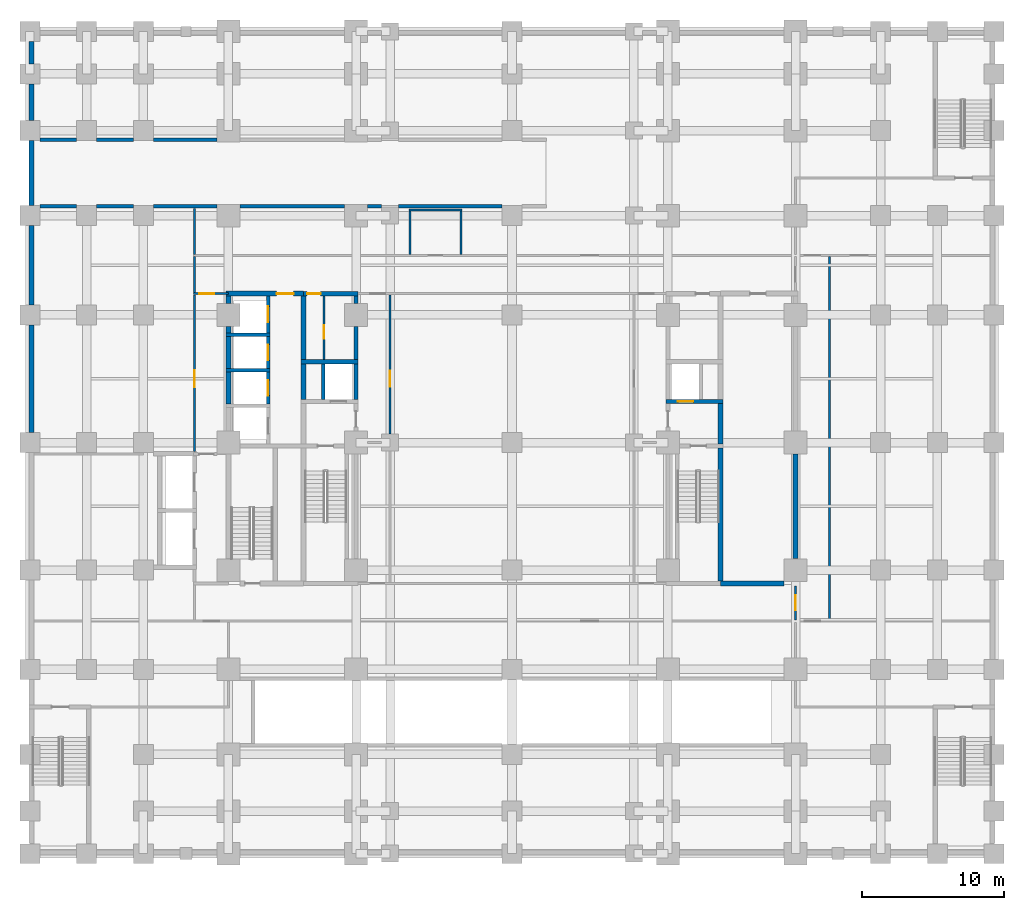
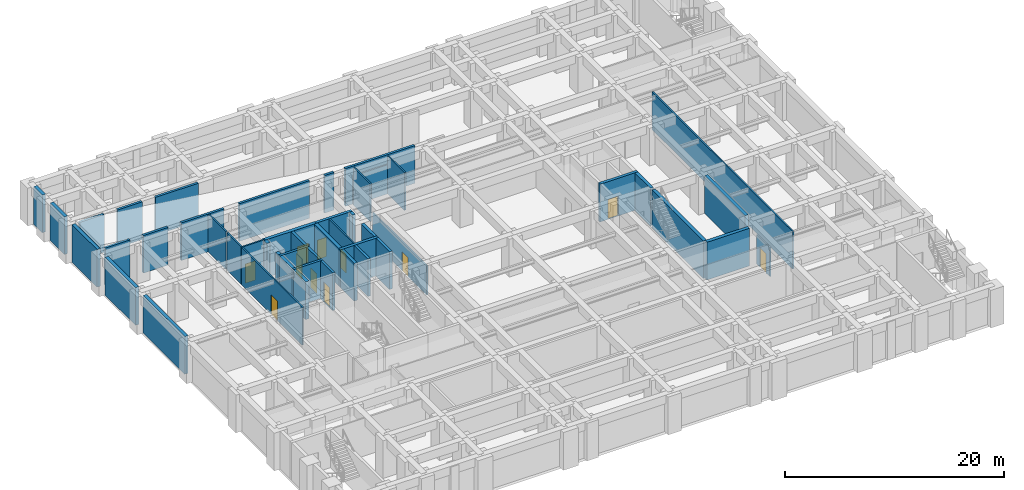
# One storey, part 6 of 14: 48 walls, 11 doors, 11 openings.
"""IFC4 building model written with IfcOpenShell, lengths in metres."""

import ifcopenshell
import ifcopenshell.guid

model = None  # the IFC model being written
_history = None  # IfcOwnerHistory: only IFC2X3 demands one
_inside = {}  # id of a spatial element -> (the spatial element, [elements in it])
_under = {}  # id of a project, library or spatial element -> (it, [spatial elements below it])
_declared = {}  # id of a project -> (the project, [libraries it declares])
_typed = {}  # id of a type object -> (the type object, [elements of that type])
_made_of = {}  # id of a material, layer set ... -> (it, [elements and type objects made of it])


def new_model(schema):
    """Start an empty IFC model of exactly this schema.

    Asked for "IFC4X3", IfcOpenShell would pick the latest addendum, in which some entities
    have other attributes; the version numbers below select the first issue.
    IFC2X3 requires an IfcOwnerHistory on every rooted entity: one is made here for all.
    """
    global model, _history
    if schema == "IFC4X3":
        model = ifcopenshell.file(schema_version=(4, 3, 0, 0))
    else:
        model = ifcopenshell.file(schema=schema)
    _inside.clear()
    _under.clear()
    _declared.clear()
    _typed.clear()
    _made_of.clear()
    _history = None
    if model.schema == "IFC2X3":
        org = make("IfcOrganization", Name="unknown")
        user = make(
            "IfcPersonAndOrganization",
            ThePerson=make("IfcPerson", FamilyName="unknown"),
            TheOrganization=org,
        )
        app = make(
            "IfcApplication",
            ApplicationDeveloper=org,
            Version="unknown",
            ApplicationFullName="unknown",
            ApplicationIdentifier="unknown",
        )
        _history = make(
            "IfcOwnerHistory",
            OwningUser=user,
            OwningApplication=app,
            ChangeAction="ADDED",
            CreationDate=0,
        )
    return model


def make(cls, **values):
    """One entity of the class cls with the attributes given. An attribute that is None is left unset."""
    return model.create_entity(
        cls, **{name: value for name, value in values.items() if value is not None}
    )


def rooted(cls, **values):
    """An entity with a GlobalId (a new one), such as an element, a storey or a relation."""
    return make(cls, GlobalId=ifcopenshell.guid.new(), OwnerHistory=_history, **values)


def si_unit(unit_type, name, prefix=None):
    """IfcSIUnit, for example si_unit("LENGTHUNIT", "METRE", prefix="MILLI")."""
    return make("IfcSIUnit", UnitType=unit_type, Prefix=prefix, Name=name)


def assignment(units):
    """IfcUnitAssignment: the units of a project."""
    return None if units is None else make("IfcUnitAssignment", Units=units)


def point(xyz):
    """IfcCartesianPoint."""
    return None if xyz is None else make("IfcCartesianPoint", Coordinates=xyz)


def direction(xyz):
    """IfcDirection."""
    return None if xyz is None else make("IfcDirection", DirectionRatios=xyz)


def frame(location, z_axis=None, x_axis=None):
    """IfcAxis2Placement3D, a coordinate frame: its origin and axes. An axis left out is left unset."""
    return make(
        "IfcAxis2Placement3D",
        Location=point(location),
        Axis=direction(z_axis),
        RefDirection=direction(x_axis),
    )


def frame_2d(location, x_axis=None):
    """IfcAxis2Placement2D, a coordinate frame in the plane: its origin and x axis."""
    return make(
        "IfcAxis2Placement2D", Location=point(location), RefDirection=direction(x_axis)
    )


def origin():
    """The frame at (0, 0, 0) with its axes left unset."""
    return frame((0.0, 0.0, 0.0))


def place(relative_to, where):
    """IfcLocalPlacement: puts the frame where relative to a parent placement (None: the world)."""
    return make(
        "IfcLocalPlacement", PlacementRelTo=relative_to, RelativePlacement=where
    )


def context(
    kind, dimensions, precision=None, world=None, true_north=None, identifier=None
):
    """IfcGeometricRepresentationContext, for example the 3D "Model" context."""
    return make(
        "IfcGeometricRepresentationContext",
        ContextIdentifier=identifier,
        ContextType=kind,
        CoordinateSpaceDimension=dimensions,
        Precision=precision,
        WorldCoordinateSystem=world,
        TrueNorth=true_north,
    )


def subcontext(parent, identifier, kind, view, scale=None):
    """IfcGeometricRepresentationSubContext, for example "Body" below "Model"."""
    return make(
        "IfcGeometricRepresentationSubContext",
        ContextIdentifier=identifier,
        ContextType=kind,
        ParentContext=parent,
        TargetScale=scale,
        TargetView=view,
    )


def project(units=None, contexts=None):
    """IfcProject with its units and contexts."""
    return rooted(
        "IfcProject",
        Name="project",
        RepresentationContexts=contexts,
        UnitsInContext=assignment(units),
    )


def spatial(cls, under=None, at=None, **own):
    """A site, building, storey or space (cls), placed at a placement, below another one or the project."""
    s = rooted(cls, ObjectPlacement=at, **own)
    if under is not None:
        _under.setdefault(under.id(), (under, []))[1].append(s)
    return s


def profile(cls, at=None, kind="AREA", **sizes):
    """A parametric profile (cls). Its sizes go by their IFC names, for example OverallWidth=200.0."""
    return make(cls, ProfileType=kind, Position=at, **sizes)


def rectangle(**sizes):
    """IfcRectangleProfileDef."""
    return profile("IfcRectangleProfileDef", **sizes)


def extrude(swept, where, along, depth):
    """IfcExtrudedAreaSolid: the profile swept, set in the frame where, extruded along a direction by depth."""
    return make(
        "IfcExtrudedAreaSolid",
        SweptArea=swept,
        Position=where,
        ExtrudedDirection=direction(along),
        Depth=depth,
    )


def shape(context_of_items, identifier, shape_type, items):
    """IfcShapeRepresentation: the items that make up one representation, for example the "Body"."""
    return make(
        "IfcShapeRepresentation",
        ContextOfItems=context_of_items,
        RepresentationIdentifier=identifier,
        RepresentationType=shape_type,
        Items=items,
    )


def material(Name=None, Category=None):
    """IfcMaterial."""
    return make("IfcMaterial", Name=Name, Category=Category)


def layer(
    of_material, thickness, ventilated=None, Name=None, Category=None, Priority=None
):
    """IfcMaterialLayer: one layer of a wall or slab, of a material (None: an air gap)."""
    return make(
        "IfcMaterialLayer",
        Material=of_material,
        LayerThickness=thickness,
        IsVentilated=ventilated,
        Name=Name,
        Category=Category,
        Priority=Priority,
    )


def layer_set(layers, Name=None):
    """IfcMaterialLayerSet."""
    return make("IfcMaterialLayerSet", MaterialLayers=layers, LayerSetName=Name)


def made_of(thing, what):
    """Note that an element or type object is made of a material, layer set ...; save() writes the relation."""
    if what is not None:
        _made_of.setdefault(what.id(), (what, []))[1].append(thing)
    return thing


def type_object(cls, material=None, **own):
    """A type object (cls), such as IfcWallType, which elements share."""
    return made_of(rooted(cls, **own), material)


def element(
    cls,
    number,
    at=None,
    inside=None,
    cuts=None,
    type_object=None,
    material=None,
    context=None,
    identifier="Body",
    shape_type=None,
    held_by="IfcProductDefinitionShape",
    body=None,
    shapes=None,
    **own,
):
    """One element of the class cls, such as IfcWall. Its Tag is "e" and its number.

    at: its placement. inside: the storey or other place that contains it. cuts: it is an
    opening in that element (IfcRelVoidsElement). A single representation is given by context,
    identifier, shape_type and body (its items); several are given by shapes. held_by: the class
    of the entity that holds the representations. save() writes the other relations.
    """
    e = rooted(cls, Tag="e%d" % number, ObjectPlacement=at, **own)
    if body is not None:
        shapes = [shape(context, identifier, shape_type, body)]
    if shapes is not None:
        e.Representation = make(held_by, Representations=shapes)
    if inside is not None:
        _inside.setdefault(inside.id(), (inside, []))[1].append(e)
    if cuts is not None:
        rooted(
            "IfcRelVoidsElement", RelatingBuildingElement=cuts, RelatedOpeningElement=e
        )
    if type_object is not None:
        _typed.setdefault(type_object.id(), (type_object, []))[1].append(e)
    return made_of(e, material)


def fill(opening, filler):
    """IfcRelFillsElement: the door or window that sits in an opening."""
    return rooted(
        "IfcRelFillsElement",
        RelatingOpeningElement=opening,
        RelatedBuildingElement=filler,
    )


def aggregate(whole, parts):
    """IfcRelAggregates: a whole, such as a stair, and the parts it consists of."""
    return rooted("IfcRelAggregates", RelatingObject=whole, RelatedObjects=parts)


def save(model, path):
    """Write the relations noted so far, then the file.

    IfcRelAggregates (storeys below a building ...), IfcRelContainedInSpatialStructure (elements
    in a storey), IfcRelDefinesByType, IfcRelAssociatesMaterial and IfcRelDeclares: one each for
    every whole, place, type object, material and project.
    """
    for whole, parts in _under.values():
        aggregate(whole, parts)
    for where, things in _inside.values():
        rooted(
            "IfcRelContainedInSpatialStructure",
            RelatedElements=things,
            RelatingStructure=where,
        )
    for kind, things in _typed.values():
        rooted("IfcRelDefinesByType", RelatedObjects=things, RelatingType=kind)
    for what, things in _made_of.values():
        rooted("IfcRelAssociatesMaterial", RelatedObjects=things, RelatingMaterial=what)
    for by, libraries in _declared.values():
        rooted("IfcRelDeclares", RelatingContext=by, RelatedDefinitions=libraries)
    model.write(path)


model = new_model("IFC4")

# Units and contexts
model_context = context("Model", 3, precision=1e-05, world=origin(), true_north=direction((0.0, 1.0)))
body_context = subcontext(model_context, "Body", "Model", "MODEL_VIEW")
ifc_project = project(units=[si_unit("LENGTHUNIT", "METRE"), si_unit("AREAUNIT", "SQUARE_METRE"), si_unit("VOLUMEUNIT", "CUBIC_METRE"), si_unit("PLANEANGLEUNIT", "RADIAN"), si_unit("MASSUNIT", "GRAM", prefix="KILO")], contexts=[model_context])

# Site, building, storey
site_placement = place(None, origin())
site = spatial("IfcSite", under=ifc_project, at=site_placement, CompositionType="ELEMENT")
building_placement = place(site_placement, origin())
building = spatial("IfcBuilding", under=site, at=building_placement, Name="Zulmaris Gate Convention Tower", CompositionType="ELEMENT")
storey_placement = place(building_placement, frame((0.0, 0.0, -4.550048828125)))
storey = spatial("IfcBuildingStorey", under=building, at=storey_placement, Name="B1", CompositionType="ELEMENT", Elevation=-4.550048828125)

# Walls
ifc_material_1 = material(Name="Concrete C50/60", Category="concrete")
ifc_layer_1 = layer(ifc_material_1, 0.25, Name="Concrete C50/60")
ifc_layer_set_1 = layer_set([ifc_layer_1], Name="Concrete C50/60")
wall_type_1 = type_object("IfcWallType", Name="CORE-250", PredefinedType="SOLIDWALL", material=ifc_layer_set_1)
for number, where, z_axis, x_axis, name in (
    (1, (-20.175048828125, 5.10009765625, 0.0), (0.0, 0.0, 1.0), (1.0, 0.0, 0.0), "WL-B1-018"),
    (2, (-20.175048828125, 7.60009765625, 0.0), (0.0, 0.0, 1.0), (1.0, 0.0, 0.0), "WL-B1-021"),
):
    element("IfcWall", number, at=place(storey_placement, frame(where, z_axis=z_axis, x_axis=x_axis)), inside=storey, type_object=wall_type_1, Name=name, PredefinedType="SOLIDWALL", context=body_context, shape_type="SweptSolid", body=[
        extrude(rectangle(XDim=3.10009765625, YDim=0.25, at=frame_2d((1.550048828125, 0.0))), origin(), (0.0, 0.0, 1.0), 4.199951171875),
    ])
for number, where, z_axis, x_axis, name in (
    (3, (-33.2958984375, 16.64990234375, 0.0), (0.0, 0.0, 1.0), (1.0, 0.0, 0.0), "WL-B1-026"),
    (4, (-29.2958984375, 16.64990234375, 0.0), (0.0, 0.0, 1.0), (1.0, 0.0, 0.0), "WL-B1-026S1"),
):
    element("IfcWall", number, at=place(storey_placement, frame(where, z_axis=z_axis, x_axis=x_axis)), inside=storey, type_object=wall_type_1, Name=name, PredefinedType="SOLIDWALL", context=body_context, shape_type="SweptSolid", body=[
        extrude(rectangle(XDim=2.591796875, YDim=0.25, at=frame_2d((1.2958984375, 0.0))), origin(), (0.0, 0.0, 1.0), 4.199951171875),
    ])
wall_1_placement = place(storey_placement, frame((-25.2958984375, 16.64990234375, 0.0), z_axis=(0.0, 0.0, 1.0), x_axis=(1.0, 0.0, 0.0)))
element("IfcWall", 5, at=wall_1_placement, inside=storey, type_object=wall_type_1, Name="WL-B1-026S2", PredefinedType="SOLIDWALL", context=body_context, shape_type="SweptSolid", body=[
    extrude(rectangle(XDim=4.491943359375, YDim=0.25, at=frame_2d((2.24609375, 0.0))), origin(), (0.0, 0.0, 1.0), 4.199951171875),
])
wall_2_placement = place(storey_placement, frame((-19.196044921875, 16.64990234375, 0.0), z_axis=(0.0, 0.0, 1.0), x_axis=(1.0, 0.0, 0.0)))
element("IfcWall", 6, at=wall_2_placement, inside=storey, type_object=wall_type_1, Name="WL-B1-026S3", PredefinedType="SOLIDWALL", context=body_context, shape_type="SweptSolid", body=[
    extrude(rectangle(XDim=7.39208984375, YDim=0.25, at=frame_2d((3.696044921875, 0.0))), origin(), (0.0, 0.0, 1.0), 4.199951171875),
])
wall_3_placement = place(storey_placement, frame((-10.196044921875, 16.64990234375, 0.0), z_axis=(0.0, 0.0, 1.0), x_axis=(1.0, 0.0, 0.0)))
element("IfcWall", 7, at=wall_3_placement, inside=storey, type_object=wall_type_1, Name="WL-B1-026S4", PredefinedType="SOLIDWALL", context=body_context, shape_type="SweptSolid", body=[
    extrude(rectangle(XDim=0.991943359375, YDim=0.25, at=frame_2d((0.49609375, 0.0))), origin(), (0.0, 0.0, 1.0), 4.199951171875),
])
wall_4_placement = place(storey_placement, frame((-7.99609375, 16.64990234375, 0.0), z_axis=(0.0, 0.0, 1.0), x_axis=(1.0, 0.0, 0.0)))
element("IfcWall", 8, at=wall_4_placement, inside=storey, type_object=wall_type_1, Name="WL-B1-026S5", PredefinedType="SOLIDWALL", context=body_context, shape_type="SweptSolid", body=[
    extrude(rectangle(XDim=7.2919921875, YDim=0.25, at=frame_2d((3.64599609375, 0.0))), origin(), (0.0, 0.0, 1.0), 4.199951171875),
])
for number, where, z_axis, x_axis, name in (
    (9, (-33.2958984375, 21.35009765625, 0.0), (0.0, 0.0, 1.0), (1.0, 0.0, 0.0), "WL-B1-028"),
    (10, (-29.2958984375, 21.35009765625, 0.0), (0.0, 0.0, 1.0), (1.0, 0.0, 0.0), "WL-B1-028S1"),
):
    element("IfcWall", number, at=place(storey_placement, frame(where, z_axis=z_axis, x_axis=x_axis)), inside=storey, type_object=wall_type_1, Name=name, PredefinedType="SOLIDWALL", context=body_context, shape_type="SweptSolid", body=[
        extrude(rectangle(XDim=2.591796875, YDim=0.25, at=frame_2d((1.2958984375, 0.0))), origin(), (0.0, 0.0, 1.0), 4.199951171875),
    ])
wall_5_placement = place(storey_placement, frame((-25.2958984375, 21.35009765625, 0.0), z_axis=(0.0, 0.0, 1.0), x_axis=(1.0, 0.0, 0.0)))
element("IfcWall", 11, at=wall_5_placement, inside=storey, type_object=wall_type_1, Name="WL-B1-028S2", PredefinedType="SOLIDWALL", context=body_context, shape_type="SweptSolid", body=[
    extrude(rectangle(XDim=4.491943359375, YDim=0.25, at=frame_2d((2.24609375, 0.0))), origin(), (0.0, 0.0, 1.0), 4.199951171875),
])

# Wall, opening, door
wall_6_placement = place(storey_placement, frame((-17.199951171875, 2.72705078125, 0.0), z_axis=(0.0, 0.0, 1.0), x_axis=(0.0, 1.0, 0.0)))
wall_6 = element("IfcWall", 12, at=wall_6_placement, inside=storey, type_object=wall_type_1, Name="WL-B1-060", PredefinedType="SOLIDWALL", context=body_context, shape_type="SweptSolid", body=[
    extrude(rectangle(XDim=2.245849609375, YDim=0.25, at=frame_2d((1.123046875, 0.0))), origin(), (0.0, 0.0, 1.0), 4.199951171875),
])
opening_1_placement = place(wall_6_placement, frame((0.572998046875, 0.0, 0.0)))
opening_1 = element("IfcOpeningElement", 13, at=opening_1_placement, cuts=wall_6, Name="Opening D-06", PredefinedType="OPENING", context=body_context, shape_type="SweptSolid", body=[
    extrude(rectangle(XDim=1.10009765625, YDim=2.199951171875, at=frame_2d((0.550048828125, 1.10009765625))), frame((0.0, 0.135009765625, 0.0), z_axis=(0.0, -1.0, 0.0), x_axis=(1.0, 0.0, 0.0)), (0.0, 0.0, 1.0), 0.27001953125),
])
ifc_material_2 = material(Name="Brushed Stainless Steel", Category="steel")
door_type_1 = type_object("IfcDoorType", Name="LD-1100", OperationType="NOTDEFINED", PredefinedType="DOOR", material=ifc_material_2)
door_1_placement = place(opening_1_placement, origin())
door_1 = element("IfcDoor", 14, at=door_1_placement, inside=storey, type_object=door_type_1, Name="B1 Lift Landing Door LP-02 13", OperationType="SLIDING_TO_LEFT", OverallHeight=2.199951171875, OverallWidth=1.10009765625, PredefinedType="DOOR", context=body_context, shape_type="SweptSolid", body=[
    extrude(rectangle(XDim=1.10009765625, YDim=2.199951171875, at=frame_2d((0.550048828125, 1.10009765625))), frame((0.0, 0.02490234375, 0.0), z_axis=(0.0, -1.0, 0.0), x_axis=(1.0, 0.0, 0.0)), (0.0, 0.0, 1.0), 0.050048828125),
])
fill(opening_1, door_1)

wall_7_placement = place(storey_placement, frame((-17.199951171875, 5.22705078125, 0.0), z_axis=(0.0, 0.0, 1.0), x_axis=(0.0, 1.0, 0.0)))
wall_7 = element("IfcWall", 15, at=wall_7_placement, inside=storey, type_object=wall_type_1, Name="WL-B1-061", PredefinedType="SOLIDWALL", context=body_context, shape_type="SweptSolid", body=[
    extrude(rectangle(XDim=2.245849609375, YDim=0.25, at=frame_2d((1.123046875, 0.0))), origin(), (0.0, 0.0, 1.0), 4.199951171875),
])
opening_2_placement = place(wall_7_placement, frame((0.572998046875, 0.0, 0.0)))
opening_2 = element("IfcOpeningElement", 16, at=opening_2_placement, cuts=wall_7, Name="Opening D-06", PredefinedType="OPENING", context=body_context, shape_type="SweptSolid", body=[
    extrude(rectangle(XDim=1.10009765625, YDim=2.199951171875, at=frame_2d((0.550048828125, 1.10009765625))), frame((0.0, 0.135009765625, 0.0), z_axis=(0.0, -1.0, 0.0), x_axis=(1.0, 0.0, 0.0)), (0.0, 0.0, 1.0), 0.27001953125),
])
door_2_placement = place(opening_2_placement, origin())
door_2 = element("IfcDoor", 17, at=door_2_placement, inside=storey, type_object=door_type_1, Name="B1 Lift Landing Door LP-03 14", OperationType="SLIDING_TO_LEFT", OverallHeight=2.199951171875, OverallWidth=1.10009765625, PredefinedType="DOOR", context=body_context, shape_type="SweptSolid", body=[
    extrude(rectangle(XDim=1.10009765625, YDim=2.199951171875, at=frame_2d((0.550048828125, 1.10009765625))), frame((0.0, 0.02490234375, 0.0), z_axis=(0.0, -1.0, 0.0), x_axis=(1.0, 0.0, 0.0)), (0.0, 0.0, 1.0), 0.050048828125),
])
fill(opening_2, door_2)

wall_8_placement = place(storey_placement, frame((-17.199951171875, 7.72705078125, 0.0), z_axis=(0.0, 0.0, 1.0), x_axis=(0.0, 1.0, 0.0)))
wall_8 = element("IfcWall", 18, at=wall_8_placement, inside=storey, type_object=wall_type_1, Name="WL-B1-062", PredefinedType="SOLIDWALL", context=body_context, shape_type="SweptSolid", body=[
    extrude(rectangle(XDim=2.595947265625, YDim=0.25, at=frame_2d((1.2978515625, 0.0))), origin(), (0.0, 0.0, 1.0), 4.199951171875),
])
opening_3_placement = place(wall_8_placement, frame((0.77294921875, 0.0, 0.0)))
opening_3 = element("IfcOpeningElement", 19, at=opening_3_placement, cuts=wall_8, Name="Opening D-06", PredefinedType="OPENING", context=body_context, shape_type="SweptSolid", body=[
    extrude(rectangle(XDim=1.10009765625, YDim=2.199951171875, at=frame_2d((0.550048828125, 1.10009765625))), frame((0.0, 0.135009765625, 0.0), z_axis=(0.0, -1.0, 0.0), x_axis=(1.0, 0.0, 0.0)), (0.0, 0.0, 1.0), 0.27001953125),
])
door_3_placement = place(opening_3_placement, origin())
door_3 = element("IfcDoor", 20, at=door_3_placement, inside=storey, type_object=door_type_1, Name="B1 Lift Landing Door LP-04 15", OperationType="SLIDING_TO_LEFT", OverallHeight=2.199951171875, OverallWidth=1.10009765625, PredefinedType="DOOR", context=body_context, shape_type="SweptSolid", body=[
    extrude(rectangle(XDim=1.10009765625, YDim=2.199951171875, at=frame_2d((0.550048828125, 1.10009765625))), frame((0.0, 0.02490234375, 0.0), z_axis=(0.0, -1.0, 0.0), x_axis=(1.0, 0.0, 0.0)), (0.0, 0.0, 1.0), 0.050048828125),
])
fill(opening_3, door_3)

# Wall
wall_9_placement = place(storey_placement, frame((-13.300048828125, 3.052001953125, 0.0), z_axis=(0.0, 0.0, 1.0), x_axis=(0.0, 1.0, 0.0)))
element("IfcWall", 21, at=wall_9_placement, inside=storey, type_object=wall_type_1, Name="WL-B1-068", PredefinedType="SOLIDWALL", context=body_context, shape_type="SweptSolid", body=[
    extrude(rectangle(XDim=2.49609375, YDim=0.25, at=frame_2d((1.248046875, 0.0))), origin(), (0.0, 0.0, 1.0), 4.199951171875),
])

# Wall, opening, door
ifc_layer_2 = layer(ifc_material_1, 0.300048828125, Name="Concrete C50/60")
ifc_layer_set_2 = layer_set([ifc_layer_2], Name="Concrete C50/60")
wall_type_2 = type_object("IfcWallType", Name="CORE-300", PredefinedType="SHEAR", material=ifc_layer_set_2)
wall_10_placement = place(storey_placement, frame((10.85009765625, 2.89990234375, 0.0), z_axis=(0.0, 0.0, 1.0), x_axis=(1.0, 0.0, 0.0)))
wall_10 = element("IfcWall", 22, at=wall_10_placement, inside=storey, type_object=wall_type_2, Name="WL-B1-017", PredefinedType="SHEAR", context=body_context, shape_type="SweptSolid", body=[
    extrude(rectangle(XDim=4.02490234375, YDim=0.300048828125, at=frame_2d((2.012451171875, 0.0))), origin(), (0.0, 0.0, 1.0), 4.199951171875),
])
opening_4_placement = place(wall_10_placement, frame((0.85009765625, 0.0, 0.0)))
opening_4 = element("IfcOpeningElement", 23, at=opening_4_placement, cuts=wall_10, Name="Opening D-06", PredefinedType="OPENING", context=body_context, shape_type="SweptSolid", body=[
    extrude(rectangle(XDim=1.10009765625, YDim=2.199951171875, at=frame_2d((0.550048828125, 1.10009765625))), frame((0.0, 0.16015625, 0.0), z_axis=(0.0, -1.0, 0.0), x_axis=(1.0, 0.0, 0.0)), (0.0, 0.0, 1.0), 0.320068359375),
])
door_4_placement = place(opening_4_placement, origin())
door_4 = element("IfcDoor", 24, at=door_4_placement, inside=storey, type_object=door_type_1, Name="B1 Lift Landing Door LF-02 06", OperationType="SLIDING_TO_RIGHT", OverallHeight=2.199951171875, OverallWidth=1.10009765625, PredefinedType="DOOR", context=body_context, shape_type="SweptSolid", body=[
    extrude(rectangle(XDim=1.10009765625, YDim=2.199951171875, at=frame_2d((0.550048828125, 1.10009765625))), frame((0.0, 0.02490234375, 0.0), z_axis=(0.0, -1.0, 0.0), x_axis=(1.0, 0.0, 0.0)), (0.0, 0.0, 1.0), 0.050048828125),
])
fill(opening_4, door_4)

# Wall
wall_11_placement = place(storey_placement, frame((-14.875, 5.699951171875, 0.0), z_axis=(0.0, 0.0, 1.0), x_axis=(1.0, 0.0, 0.0)))
element("IfcWall", 25, at=wall_11_placement, inside=storey, type_object=wall_type_2, Name="WL-B1-019", PredefinedType="SHEAR", context=body_context, shape_type="SweptSolid", body=[
    extrude(rectangle(XDim=4.02490234375, YDim=0.300048828125, at=frame_2d((2.012451171875, 0.0))), origin(), (0.0, 0.0, 1.0), 4.199951171875),
])

# Wall, opening, door
wall_12_placement = place(storey_placement, frame((-14.699951171875, 10.5, 0.0), z_axis=(0.0, 0.0, 1.0), x_axis=(1.0, 0.0, 0.0)))
wall_12 = element("IfcWall", 26, at=wall_12_placement, inside=storey, type_object=wall_type_2, Name="WL-B1-023", PredefinedType="SHEAR", context=body_context, shape_type="SweptSolid", body=[
    extrude(rectangle(XDim=3.849853515625, YDim=0.300048828125, at=frame_2d((1.9248046875, 0.0))), origin(), (0.0, 0.0, 1.0), 4.199951171875),
])
opening_5_placement = place(wall_12_placement, frame((0.2451171875, 0.0, 0.0)))
opening_5 = element("IfcOpeningElement", 27, at=opening_5_placement, cuts=wall_12, Name="Opening D-11", PredefinedType="OPENING", context=body_context, shape_type="SweptSolid", body=[
    extrude(rectangle(XDim=0.949951171875, YDim=2.14990234375, at=frame_2d((0.47509765625, 1.074951171875))), frame((0.0, 0.16015625, 0.0), z_axis=(0.0, -1.0, 0.0), x_axis=(1.0, 0.0, 0.0)), (0.0, 0.0, 1.0), 0.320068359375),
])
ifc_material_3 = material(Name="Fire-Rated Timber", Category="wood")
door_type_2 = type_object("IfcDoorType", Name="DR-950-FD", OperationType="NOTDEFINED", PredefinedType="DOOR", material=ifc_material_3)
door_5_placement = place(opening_5_placement, origin())
door_5 = element("IfcDoor", 28, at=door_5_placement, inside=storey, type_object=door_type_2, Name="B1 Core Mail Room Door 07", OperationType="SINGLE_SWING_LEFT", OverallHeight=2.14990234375, OverallWidth=0.949951171875, PredefinedType="DOOR", context=body_context, shape_type="SweptSolid", body=[
    extrude(rectangle(XDim=0.949951171875, YDim=2.14990234375, at=frame_2d((0.47509765625, 1.074951171875))), frame((0.0, 0.02490234375, 0.0), z_axis=(0.0, -1.0, 0.0), x_axis=(1.0, 0.0, 0.0)), (0.0, 0.0, 1.0), 0.050048828125),
])
fill(opening_5, door_5)

# Walls
wall_13_placement = place(storey_placement, frame((-11.0, 3.052001953125, 0.0), z_axis=(0.0, 0.0, 1.0), x_axis=(0.0, 1.0, 0.0)))
element("IfcWall", 29, at=wall_13_placement, inside=storey, type_object=wall_type_2, Name="WL-B1-072", PredefinedType="SHEAR", context=body_context, shape_type="SweptSolid", body=[
    extrude(rectangle(XDim=2.49609375, YDim=0.300048828125, at=frame_2d((1.248046875, 0.0))), origin(), (0.0, 0.0, 1.0), 4.199951171875),
])
wall_14_placement = place(storey_placement, frame((-11.0, 5.85205078125, 0.0), z_axis=(0.0, 0.0, 1.0), x_axis=(0.0, 1.0, 0.0)))
element("IfcWall", 30, at=wall_14_placement, inside=storey, type_object=wall_type_2, Name="WL-B1-073", PredefinedType="SHEAR", context=body_context, shape_type="SweptSolid", body=[
    extrude(rectangle(XDim=2.343994140625, YDim=0.300048828125, at=frame_2d((1.171875, 0.0))), origin(), (0.0, 0.0, 1.0), 4.199951171875),
])
wall_15_placement = place(storey_placement, frame((-11.0, 9.803955078125, 0.0), z_axis=(0.0, 0.0, 1.0), x_axis=(0.0, 1.0, 0.0)))
element("IfcWall", 31, at=wall_15_placement, inside=storey, type_object=wall_type_2, Name="WL-B1-073S1", PredefinedType="SHEAR", context=body_context, shape_type="SweptSolid", body=[
    extrude(rectangle(XDim=0.5439453125, YDim=0.300048828125, at=frame_2d((0.27197265625, 0.0))), origin(), (0.0, 0.0, 1.0), 4.199951171875),
])
ifc_material_4 = material(Name="Concrete C55/67", Category="concrete")
ifc_layer_3 = layer(ifc_material_4, 0.35009765625, Name="Concrete C55/67")
ifc_layer_set_3 = layer_set([ifc_layer_3], Name="Concrete C55/67")
wall_type_3 = type_object("IfcWallType", Name="CORE-350", PredefinedType="SHEAR", material=ifc_layer_set_3)
wall_16_placement = place(storey_placement, frame((14.699951171875, -9.949951171875, 0.0), z_axis=(0.0, 0.0, 1.0), x_axis=(1.0, 0.0, 0.0)))
element("IfcWall", 32, at=wall_16_placement, inside=storey, type_object=wall_type_3, Name="WL-B1-009", PredefinedType="SHEAR", context=body_context, shape_type="SweptSolid", body=[
    extrude(rectangle(XDim=4.49609375, YDim=0.35009765625, at=frame_2d((2.248046875, 0.0))), origin(), (0.0, 0.0, 1.0), 4.199951171875),
])

# Wall, opening, door
wall_17_placement = place(storey_placement, frame((-20.175048828125, 10.5, 0.0), z_axis=(0.0, 0.0, 1.0), x_axis=(1.0, 0.0, 0.0)))
wall_17 = element("IfcWall", 33, at=wall_17_placement, inside=storey, type_object=wall_type_3, Name="WL-B1-022", PredefinedType="SHEAR", context=body_context, shape_type="SweptSolid", body=[
    extrude(rectangle(XDim=5.47509765625, YDim=0.35009765625, at=frame_2d((2.737548828125, 0.0))), origin(), (0.0, 0.0, 1.0), 4.199951171875),
])
opening_6_placement = place(wall_17_placement, frame((3.574951171875, 0.0, 0.0)))
opening_6 = element("IfcOpeningElement", 34, at=opening_6_placement, cuts=wall_17, Name="Opening D-13", PredefinedType="OPENING", context=body_context, shape_type="SweptSolid", body=[
    extrude(rectangle(XDim=1.199951171875, YDim=2.14990234375, at=frame_2d((0.60009765625, 1.074951171875))), frame((0.0, 0.18505859375, 0.0), z_axis=(0.0, -1.0, 0.0), x_axis=(1.0, 0.0, 0.0)), (0.0, 0.0, 1.0), 0.3701171875),
])
ifc_material_5 = material(Name="Fire-Rated Steel", Category="steel")
door_type_3 = type_object("IfcDoorType", Name="DR-1200-FD", OperationType="NOTDEFINED", PredefinedType="DOOR", material=ifc_material_5)
door_6_placement = place(opening_6_placement, origin())
door_6 = element("IfcDoor", 35, at=door_6_placement, inside=storey, type_object=door_type_3, Name="B1 Low-Rise Lift Lobby Door 11", OperationType="SINGLE_SWING_LEFT", OverallHeight=2.14990234375, OverallWidth=1.199951171875, PredefinedType="DOOR", context=body_context, shape_type="SweptSolid", body=[
    extrude(rectangle(XDim=1.199951171875, YDim=2.14990234375, at=frame_2d((0.60009765625, 1.074951171875))), frame((0.0, 0.02490234375, 0.0), z_axis=(0.0, -1.0, 0.0), x_axis=(1.0, 0.0, 0.0)), (0.0, 0.0, 1.0), 0.050048828125),
])
fill(opening_6, door_6)

# Walls
wall_18_placement = place(storey_placement, frame((-33.89990234375, 0.7041015625, 0.0), z_axis=(0.0, 0.0, 1.0), x_axis=(0.0, 1.0, 0.0)))
element("IfcWall", 36, at=wall_18_placement, inside=storey, type_object=wall_type_3, Name="WL-B1-045S3", PredefinedType="SHEAR", context=body_context, shape_type="SweptSolid", body=[
    extrude(rectangle(XDim=7.591796875, YDim=0.35009765625, at=frame_2d((3.7958984375, 0.0))), origin(), (0.0, 0.0, 1.0), 4.199951171875),
])
wall_19_placement = place(storey_placement, frame((-33.89990234375, 9.7041015625, 0.0), z_axis=(0.0, 0.0, 1.0), x_axis=(0.0, 1.0, 0.0)))
element("IfcWall", 37, at=wall_19_placement, inside=storey, type_object=wall_type_3, Name="WL-B1-045S4", PredefinedType="SHEAR", context=body_context, shape_type="SweptSolid", body=[
    extrude(rectangle(XDim=5.591796875, YDim=0.35009765625, at=frame_2d((2.7958984375, 0.0))), origin(), (0.0, 0.0, 1.0), 4.199951171875),
])
wall_20_placement = place(storey_placement, frame((-33.89990234375, 16.7041015625, 0.0), z_axis=(0.0, 0.0, 1.0), x_axis=(0.0, 1.0, 0.0)))
element("IfcWall", 38, at=wall_20_placement, inside=storey, type_object=wall_type_3, Name="WL-B1-046", PredefinedType="SHEAR", context=body_context, shape_type="SweptSolid", body=[
    extrude(rectangle(XDim=4.591796875, YDim=0.35009765625, at=frame_2d((2.2958984375, 0.0))), origin(), (0.0, 0.0, 1.0), 4.199951171875),
])
wall_21_placement = place(storey_placement, frame((-33.89990234375, 22.7041015625, 0.0), z_axis=(0.0, 0.0, 1.0), x_axis=(0.0, 1.0, 0.0)))
element("IfcWall", 39, at=wall_21_placement, inside=storey, type_object=wall_type_3, Name="WL-B1-047", PredefinedType="SHEAR", context=body_context, shape_type="SweptSolid", body=[
    extrude(rectangle(XDim=2.591796875, YDim=0.35009765625, at=frame_2d((1.2958984375, 0.0))), origin(), (0.0, 0.0, 1.0), 4.199951171875),
])
wall_22_placement = place(storey_placement, frame((-33.89990234375, 26.7041015625, 0.0), z_axis=(0.0, 0.0, 1.0), x_axis=(0.0, 1.0, 0.0)))
element("IfcWall", 40, at=wall_22_placement, inside=storey, type_object=wall_type_3, Name="WL-B1-047S1", PredefinedType="SHEAR", context=body_context, shape_type="SweptSolid", body=[
    extrude(rectangle(XDim=1.591796875, YDim=0.35009765625, at=frame_2d((0.7958984375, 0.0))), origin(), (0.0, 0.0, 1.0), 4.199951171875),
])
for number, where, z_axis, x_axis, name in (
    (41, (-20.0, 2.72705078125, 0.0), (0.0, 0.0, 1.0), (0.0, 1.0, 0.0), "WL-B1-055"),
    (42, (-20.0, 5.22705078125, 0.0), (0.0, 0.0, 1.0), (0.0, 1.0, 0.0), "WL-B1-056"),
):
    element("IfcWall", number, at=place(storey_placement, frame(where, z_axis=z_axis, x_axis=x_axis)), inside=storey, type_object=wall_type_3, Name=name, PredefinedType="SHEAR", context=body_context, shape_type="SweptSolid", body=[
        extrude(rectangle(XDim=2.245849609375, YDim=0.35009765625, at=frame_2d((1.123046875, 0.0))), origin(), (0.0, 0.0, 1.0), 4.199951171875),
    ])
wall_23_placement = place(storey_placement, frame((-20.0, 7.72705078125, 0.0), z_axis=(0.0, 0.0, 1.0), x_axis=(0.0, 1.0, 0.0)))
element("IfcWall", 43, at=wall_23_placement, inside=storey, type_object=wall_type_3, Name="WL-B1-057", PredefinedType="SHEAR", context=body_context, shape_type="SweptSolid", body=[
    extrude(rectangle(XDim=0.468994140625, YDim=0.35009765625, at=frame_2d((0.234375, 0.0))), origin(), (0.0, 0.0, 1.0), 4.199951171875),
])
wall_24_placement = place(storey_placement, frame((-20.0, 9.803955078125, 0.0), z_axis=(0.0, 0.0, 1.0), x_axis=(0.0, 1.0, 0.0)))
element("IfcWall", 44, at=wall_24_placement, inside=storey, type_object=wall_type_3, Name="WL-B1-057S1", PredefinedType="SHEAR", context=body_context, shape_type="SweptSolid", body=[
    extrude(rectangle(XDim=0.51904296875, YDim=0.35009765625, at=frame_2d((0.259521484375, 0.0))), origin(), (0.0, 0.0, 1.0), 4.199951171875),
])
wall_25_placement = place(storey_placement, frame((-14.699951171875, 3.052001953125, 0.0), z_axis=(0.0, 0.0, 1.0), x_axis=(0.0, 1.0, 0.0)))
element("IfcWall", 45, at=wall_25_placement, inside=storey, type_object=wall_type_3, Name="WL-B1-066", PredefinedType="SHEAR", context=body_context, shape_type="SweptSolid", body=[
    extrude(rectangle(XDim=2.49609375, YDim=0.35009765625, at=frame_2d((1.248046875, 0.0))), origin(), (0.0, 0.0, 1.0), 4.199951171875),
])
wall_26_placement = place(storey_placement, frame((-14.699951171875, 5.85205078125, 0.0), z_axis=(0.0, 0.0, 1.0), x_axis=(0.0, 1.0, 0.0)))
element("IfcWall", 46, at=wall_26_placement, inside=storey, type_object=wall_type_3, Name="WL-B1-067", PredefinedType="SHEAR", context=body_context, shape_type="SweptSolid", body=[
    extrude(rectangle(XDim=4.470947265625, YDim=0.35009765625, at=frame_2d((2.2353515625, 0.0))), origin(), (0.0, 0.0, 1.0), 4.199951171875),
])
wall_27_placement = place(storey_placement, frame((14.699951171875, -9.77294921875, 0.0), z_axis=(0.0, 0.0, 1.0), x_axis=(0.0, 1.0, 0.0)))
element("IfcWall", 47, at=wall_27_placement, inside=storey, type_object=wall_type_3, Name="WL-B1-080", PredefinedType="SHEAR", context=body_context, shape_type="SweptSolid", body=[
    extrude(rectangle(XDim=9.370849609375, YDim=0.35009765625, at=frame_2d((4.685546875, 0.0))), origin(), (0.0, 0.0, 1.0), 4.199951171875),
])
wall_28_placement = place(storey_placement, frame((14.699951171875, -0.097900390625, 0.0), z_axis=(0.0, 0.0, 1.0), x_axis=(0.0, 1.0, 0.0)))
element("IfcWall", 48, at=wall_28_placement, inside=storey, type_object=wall_type_3, Name="WL-B1-081", PredefinedType="SHEAR", context=body_context, shape_type="SweptSolid", body=[
    extrude(rectangle(XDim=2.845947265625, YDim=0.35009765625, at=frame_2d((1.4228515625, 0.0))), origin(), (0.0, 0.0, 1.0), 4.199951171875),
])
wall_29_placement = place(storey_placement, frame((20.0, -8.196044921875, 0.0), z_axis=(0.0, 0.0, 1.0), x_axis=(0.0, 1.0, 0.0)))
element("IfcWall", 49, at=wall_29_placement, inside=storey, type_object=wall_type_3, Name="WL-B1-084", PredefinedType="SHEAR", context=body_context, shape_type="SweptSolid", body=[
    extrude(rectangle(XDim=7.39208984375, YDim=0.35009765625, at=frame_2d((3.696044921875, 0.0))), origin(), (0.0, 0.0, 1.0), 4.199951171875),
])

# Wall, opening, door
ifc_material_6 = material(Name="Gypsum Metal Stud Partition")
ifc_layer_4 = layer(ifc_material_6, 0.14990234375, Name="Gypsum Metal Stud Partition")
ifc_layer_set_4 = layer_set([ifc_layer_4], Name="Gypsum Metal Stud Partition")
wall_type_4 = type_object("IfcWallType", Name="PART-150", PredefinedType="PARTITIONING", material=ifc_layer_set_4)
wall_30_placement = place(storey_placement, frame((-22.47509765625, 10.5, 0.0), z_axis=(0.0, 0.0, 1.0), x_axis=(1.0, 0.0, 0.0)))
wall_30 = element("IfcWall", 50, at=wall_30_placement, inside=storey, type_object=wall_type_4, Name="WL-B1-039", PredefinedType="PARTITIONING", context=body_context, shape_type="SweptSolid", body=[
    extrude(rectangle(XDim=2.47509765625, YDim=0.14990234375, at=frame_2d((1.237548828125, 0.0))), origin(), (0.0, 0.0, 1.0), 4.199951171875),
])
opening_7_placement = place(wall_30_placement, frame((0.429931640625, 0.0, 0.0)))
opening_7 = element("IfcOpeningElement", 51, at=opening_7_placement, cuts=wall_30, Name="Opening D-09", PredefinedType="OPENING", context=body_context, shape_type="SweptSolid", body=[
    extrude(rectangle(XDim=1.050048828125, YDim=2.14990234375, at=frame_2d((0.52490234375, 1.074951171875))), frame((0.0, 0.0849609375, 0.0), z_axis=(0.0, -1.0, 0.0), x_axis=(1.0, 0.0, 0.0)), (0.0, 0.0, 1.0), 0.169921875),
])
door_type_4 = type_object("IfcDoorType", Name="DR-1050-FD", OperationType="NOTDEFINED", PredefinedType="DOOR", material=ifc_material_5)
door_7_placement = place(opening_7_placement, origin())
door_7 = element("IfcDoor", 52, at=door_7_placement, inside=storey, type_object=door_type_4, Name="B1 West Passage North Link Door 27", OperationType="SINGLE_SWING_LEFT", OverallHeight=2.14990234375, OverallWidth=1.050048828125, PredefinedType="DOOR", context=body_context, shape_type="SweptSolid", body=[
    extrude(rectangle(XDim=1.050048828125, YDim=2.14990234375, at=frame_2d((0.52490234375, 1.074951171875))), frame((0.0, 0.02490234375, 0.0), z_axis=(0.0, -1.0, 0.0), x_axis=(1.0, 0.0, 0.0)), (0.0, 0.0, 1.0), 0.050048828125),
])
fill(opening_7, door_7)

# Wall
wall_31_placement = place(storey_placement, frame((-7.27490234375, 16.39990234375, 0.0), z_axis=(0.0, 0.0, 1.0), x_axis=(1.0, 0.0, 0.0)))
element("IfcWall", 53, at=wall_31_placement, inside=storey, type_object=wall_type_4, Name="WL-B1-042", PredefinedType="PARTITIONING", context=body_context, shape_type="SweptSolid", body=[
    extrude(rectangle(XDim=3.75, YDim=0.14990234375, at=frame_2d((1.875, 0.0))), origin(), (0.0, 0.0, 1.0), 3.241943359375),
])

# Wall, opening, door
wall_32_placement = place(storey_placement, frame((-22.39990234375, -0.64697265625, 0.0), z_axis=(0.0, 0.0, 1.0), x_axis=(0.0, 1.0, 0.0)))
wall_32 = element("IfcWall", 54, at=wall_32_placement, inside=storey, type_object=wall_type_4, Name="WL-B1-092", PredefinedType="PARTITIONING", context=body_context, shape_type="SweptSolid", body=[
    extrude(rectangle(XDim=11.069091796875, YDim=0.14990234375, at=frame_2d((5.53466796875, 0.0))), origin(), (0.0, 0.0, 1.0), 4.199951171875),
])
opening_8_placement = place(wall_32_placement, frame((4.547119140625, 0.0, 0.0)))
opening_8 = element("IfcOpeningElement", 55, at=opening_8_placement, cuts=wall_32, Name="Opening D-13", PredefinedType="OPENING", context=body_context, shape_type="SweptSolid", body=[
    extrude(rectangle(XDim=1.199951171875, YDim=2.14990234375, at=frame_2d((0.60009765625, 1.074951171875))), frame((0.0, 0.0849609375, 0.0), z_axis=(0.0, -1.0, 0.0), x_axis=(1.0, 0.0, 0.0)), (0.0, 0.0, 1.0), 0.169921875),
])
door_8_placement = place(opening_8_placement, origin())
door_8 = element("IfcDoor", 56, at=door_8_placement, inside=storey, type_object=door_type_3, Name="B1 West Parking Door 37", OperationType="SINGLE_SWING_LEFT", OverallHeight=2.14990234375, OverallWidth=1.199951171875, PredefinedType="DOOR", context=body_context, shape_type="SweptSolid", body=[
    extrude(rectangle(XDim=1.199951171875, YDim=2.14990234375, at=frame_2d((0.60009765625, 1.074951171875))), frame((0.0, 0.02490234375, 0.0), z_axis=(0.0, -1.0, 0.0), x_axis=(1.0, 0.0, 0.0)), (0.0, 0.0, 1.0), 0.050048828125),
])
fill(opening_8, door_8)

# Walls
wall_33_placement = place(storey_placement, frame((-22.39990234375, 10.577880859375, 0.0), z_axis=(0.0, 0.0, 1.0), x_axis=(0.0, 1.0, 0.0)))
element("IfcWall", 57, at=wall_33_placement, inside=storey, type_object=wall_type_4, Name="WL-B1-093", PredefinedType="PARTITIONING", context=body_context, shape_type="SweptSolid", body=[
    extrude(rectangle(XDim=2.544189453125, YDim=0.14990234375, at=frame_2d((1.27197265625, 0.0))), origin(), (0.0, 0.0, 1.0), 4.199951171875),
])
wall_34_placement = place(storey_placement, frame((-22.39990234375, 13.278076171875, 0.0), z_axis=(0.0, 0.0, 1.0), x_axis=(0.0, 1.0, 0.0)))
element("IfcWall", 58, at=wall_34_placement, inside=storey, type_object=wall_type_4, Name="WL-B1-094", PredefinedType="PARTITIONING", context=body_context, shape_type="SweptSolid", body=[
    extrude(rectangle(XDim=3.243896484375, YDim=0.14990234375, at=frame_2d((1.6220703125, 0.0))), origin(), (0.0, 0.0, 1.0), 4.199951171875),
])

# Wall, opening, door
wall_35_placement = place(storey_placement, frame((-13.25, 5.85302734375, 0.0), z_axis=(0.0, 0.0, 1.0), x_axis=(0.0, 1.0, 0.0)))
wall_35 = element("IfcWall", 59, at=wall_35_placement, inside=storey, type_object=wall_type_4, Name="WL-B1-097", PredefinedType="PARTITIONING", context=body_context, shape_type="SweptSolid", body=[
    extrude(rectangle(XDim=4.493896484375, YDim=0.14990234375, at=frame_2d((2.2470703125, 0.0))), origin(), (0.0, 0.0, 1.0), 4.199951171875),
])
opening_9_placement = place(wall_35_placement, frame((1.471923828125, 0.0, 0.0)))
opening_9 = element("IfcOpeningElement", 60, at=opening_9_placement, cuts=wall_35, Name="Opening D-11", PredefinedType="OPENING", context=body_context, shape_type="SweptSolid", body=[
    extrude(rectangle(XDim=0.949951171875, YDim=2.14990234375, at=frame_2d((0.47509765625, 1.074951171875))), frame((0.0, 0.0849609375, 0.0), z_axis=(0.0, -1.0, 0.0), x_axis=(1.0, 0.0, 0.0)), (0.0, 0.0, 1.0), 0.169921875),
])
door_9_placement = place(opening_9_placement, origin())
door_9 = element("IfcDoor", 61, at=door_9_placement, inside=storey, type_object=door_type_2, Name="B1 Core Janitor Door 08", OperationType="SINGLE_SWING_RIGHT", OverallHeight=2.14990234375, OverallWidth=0.949951171875, PredefinedType="DOOR", context=body_context, shape_type="SweptSolid", body=[
    extrude(rectangle(XDim=0.949951171875, YDim=2.14990234375, at=frame_2d((0.47509765625, 1.074951171875))), frame((0.0, 0.02490234375, 0.0), z_axis=(0.0, -1.0, 0.0), x_axis=(1.0, 0.0, 0.0)), (0.0, 0.0, 1.0), 0.050048828125),
])
fill(opening_9, door_9)

wall_36_placement = place(storey_placement, frame((-8.60009765625, 0.60595703125, 0.0), z_axis=(0.0, 0.0, 1.0), x_axis=(0.0, 1.0, 0.0)))
wall_36 = element("IfcWall", 62, at=wall_36_placement, inside=storey, type_object=wall_type_4, Name="WL-B1-099", PredefinedType="PARTITIONING", context=body_context, shape_type="SweptSolid", body=[
    extrude(rectangle(XDim=9.816162109375, YDim=0.14990234375, at=frame_2d((4.908203125, 0.0))), origin(), (0.0, 0.0, 1.0), 3.241943359375),
])
opening_10_placement = place(wall_36_placement, frame((3.343994140625, 0.0, 0.0)))
opening_10 = element("IfcOpeningElement", 63, at=opening_10_placement, cuts=wall_36, Name="Opening D-08", PredefinedType="OPENING", context=body_context, shape_type="SweptSolid", body=[
    extrude(rectangle(XDim=1.10009765625, YDim=2.14990234375, at=frame_2d((0.550048828125, 1.074951171875))), frame((0.0, 0.0849609375, 0.0), z_axis=(0.0, -1.0, 0.0), x_axis=(1.0, 0.0, 0.0)), (0.0, 0.0, 1.0), 0.169921875),
])
door_type_5 = type_object("IfcDoorType", Name="DR-1100-FD", OperationType="NOTDEFINED", PredefinedType="DOOR", material=ifc_material_5)
door_10_placement = place(opening_10_placement, origin())
door_10 = element("IfcDoor", 64, at=door_10_placement, inside=storey, type_object=door_type_5, Name="B1 Central Car Park West Door 33", OperationType="SINGLE_SWING_LEFT", OverallHeight=2.14990234375, OverallWidth=1.10009765625, PredefinedType="DOOR", context=body_context, shape_type="SweptSolid", body=[
    extrude(rectangle(XDim=1.10009765625, YDim=2.14990234375, at=frame_2d((0.550048828125, 1.074951171875))), frame((0.0, 0.02490234375, 0.0), z_axis=(0.0, -1.0, 0.0), x_axis=(1.0, 0.0, 0.0)), (0.0, 0.0, 1.0), 0.050048828125),
])
fill(opening_10, door_10)

# Walls
for number, where, z_axis, x_axis, name in (
    (65, (-7.199951171875, 13.278076171875, 0.0), (0.0, 0.0, 1.0), (0.0, 1.0, 0.0), "WL-B1-100"),
    (66, (-3.60009765625, 13.278076171875, 0.0), (0.0, 0.0, 1.0), (0.0, 1.0, 0.0), "WL-B1-101"),
):
    element("IfcWall", number, at=place(storey_placement, frame(where, z_axis=z_axis, x_axis=x_axis)), inside=storey, type_object=wall_type_4, Name=name, PredefinedType="PARTITIONING", context=body_context, shape_type="SweptSolid", body=[
        extrude(rectangle(XDim=3.0439453125, YDim=0.14990234375, at=frame_2d((1.52197265625, 0.0))), origin(), (0.0, 0.0, 1.0), 4.199951171875),
    ])

# Wall, opening, door
wall_37_placement = place(storey_placement, frame((20.0, -12.52197265625, 0.0), z_axis=(0.0, 0.0, 1.0), x_axis=(0.0, 1.0, 0.0)))
wall_37 = element("IfcWall", 67, at=wall_37_placement, inside=storey, type_object=wall_type_4, Name="WL-B1-106", PredefinedType="PARTITIONING", context=body_context, shape_type="SweptSolid", body=[
    extrude(rectangle(XDim=2.39404296875, YDim=0.14990234375, at=frame_2d((1.197021484375, 0.0))), origin(), (0.0, 0.0, 1.0), 3.241943359375),
])
opening_11_placement = place(wall_37_placement, frame((0.697021484375, 0.0, 0.0)))
opening_11 = element("IfcOpeningElement", 68, at=opening_11_placement, cuts=wall_37, Name="Opening D-09", PredefinedType="OPENING", context=body_context, shape_type="SweptSolid", body=[
    extrude(rectangle(XDim=1.050048828125, YDim=2.14990234375, at=frame_2d((0.52490234375, 1.074951171875))), frame((0.0, 0.0849609375, 0.0), z_axis=(0.0, -1.0, 0.0), x_axis=(1.0, 0.0, 0.0)), (0.0, 0.0, 1.0), 0.169921875),
])
door_11_placement = place(opening_11_placement, origin())
door_11 = element("IfcDoor", 69, at=door_11_placement, inside=storey, type_object=door_type_4, Name="B1 East Passage South Core Door 30", OperationType="SINGLE_SWING_RIGHT", OverallHeight=2.14990234375, OverallWidth=1.050048828125, PredefinedType="DOOR", context=body_context, shape_type="SweptSolid", body=[
    extrude(rectangle(XDim=1.050048828125, YDim=2.14990234375, at=frame_2d((0.52490234375, 1.074951171875))), frame((0.0, 0.02490234375, 0.0), z_axis=(0.0, -1.0, 0.0), x_axis=(1.0, 0.0, 0.0)), (0.0, 0.0, 1.0), 0.050048828125),
])
fill(opening_11, door_11)

# Wall
wall_38_placement = place(storey_placement, frame((22.39990234375, -12.52197265625, 0.0), z_axis=(0.0, 0.0, 1.0), x_axis=(0.0, 1.0, 0.0)))
element("IfcWall", 70, at=wall_38_placement, inside=storey, type_object=wall_type_4, Name="WL-B1-109", PredefinedType="PARTITIONING", context=body_context, shape_type="SweptSolid", body=[
    extrude(rectangle(XDim=25.64404296875, YDim=0.14990234375, at=frame_2d((12.822021484375, 0.0))), origin(), (0.0, 0.0, 1.0), 4.199951171875),
])

save(model, "model.ifc")
